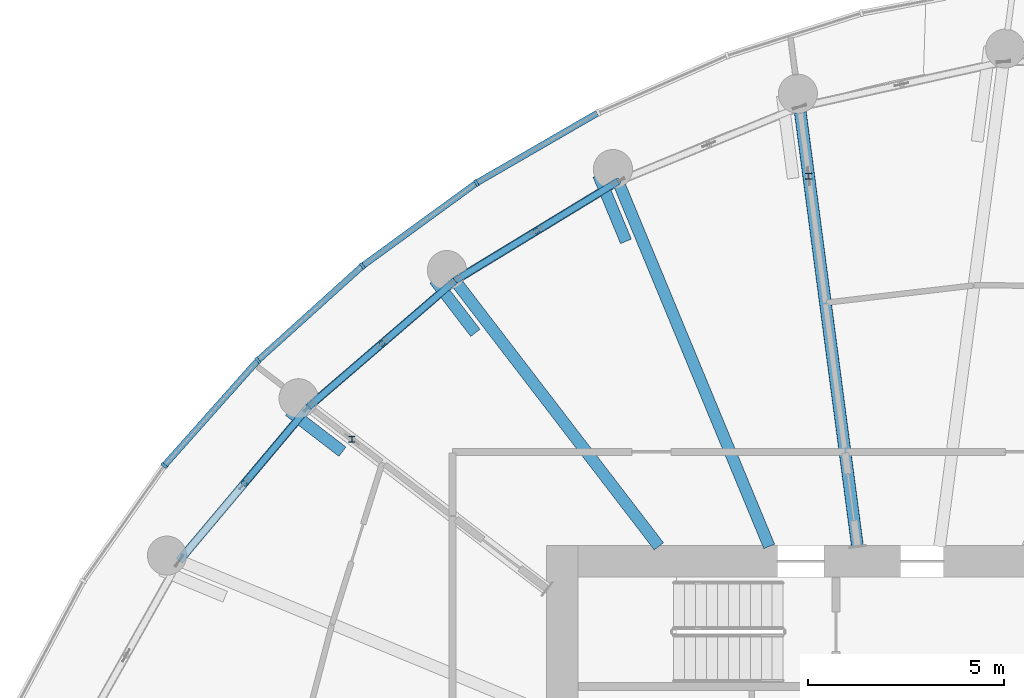
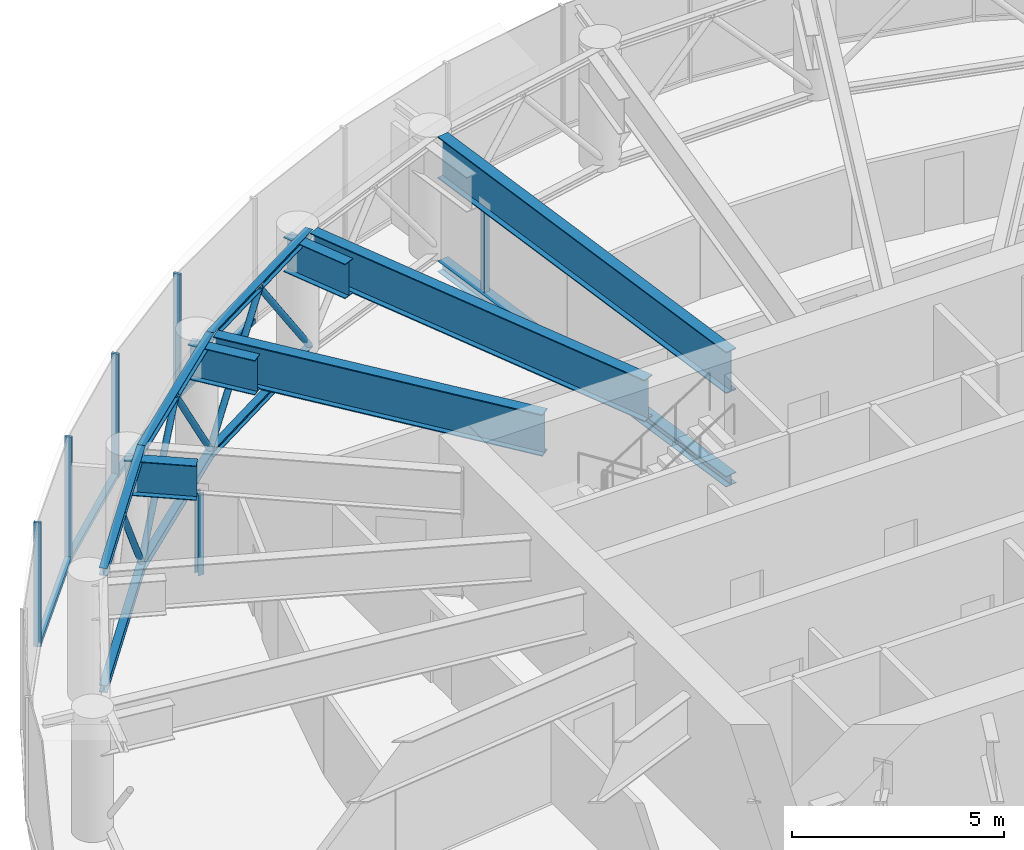
# One storey, part 8 of 25: 22 members, 6 beams, 2 elements without a shape of their own.
"""IFC4 building model written with IfcOpenShell, lengths in metres."""

from ifc_helpers import new_model, si_unit, direction, frame, origin, origin_2d, place, context, subcontext, project, spatial, rectangle, hollow_circle, i_section, extrude, source, transform, mapped, material, layer, layer_set, material_profile, profile_set, type_object, element, aggregate, save


model = new_model("IFC4")

# Units and contexts
model_context = context("Model", 3, precision=1e-05, world=origin(), true_north=direction((0.0, 1.0)))
body_context = subcontext(model_context, "Body", "Model", "MODEL_VIEW")
ifc_project = project(units=[si_unit("LENGTHUNIT", "METRE"), si_unit("AREAUNIT", "SQUARE_METRE"), si_unit("VOLUMEUNIT", "CUBIC_METRE"), si_unit("PLANEANGLEUNIT", "RADIAN"), si_unit("MASSUNIT", "GRAM", prefix="KILO")], contexts=[model_context])

# Site, building, storey
site_placement = place(None, origin())
site = spatial("IfcSite", under=ifc_project, at=site_placement, CompositionType="ELEMENT")
building_placement = place(site_placement, origin())
building = spatial("IfcBuilding", under=site, at=building_placement, Name="Spindrift Exchange Tower", CompositionType="ELEMENT")
storey_placement = place(building_placement, frame((0.0, 0.0, 179.89990234375)))
storey = spatial("IfcBuildingStorey", under=building, at=storey_placement, Name="L43", CompositionType="ELEMENT", Elevation=179.89990234375)

# Beams
ifc_material_1 = material(Name="Steel Grade 300", Category="steel")
ifc_material_profile_1 = material_profile(ifc_material_1, i_section(OverallWidth=0.300048828125, OverallDepth=1.199951171875, WebThickness=0.011962890625, FlangeThickness=0.028076171875, at=origin_2d()), Name="1200WB249")
ifc_profile_set_1 = profile_set([ifc_material_profile_1], Name="Steel Grade 300")
beam_type_1 = type_object("IfcBeamType", Name="Transfer Girder 1200WB249 Steel Grade 300", PredefinedType="BEAM", material=ifc_profile_set_1)
shared_shape_1 = source(origin(), body_context, "Body", "SweptSolid", [
    extrude(i_section(OverallWidth=0.300048828125, OverallDepth=1.199951171875, WebThickness=0.011962890625, FlangeThickness=0.028076171875, at=origin_2d()), origin(), (0.0, 0.0, 1.0), 9.958984375),
])
beam_1_placement = place(storey_placement, frame((48.69384765625, 55.9814453125, 2.97998046875), z_axis=(-0.382673670509, 0.923883575944, 0.0), x_axis=(-0.923883575944, -0.382673670509, 0.0)))
element("IfcBeam", 1, at=beam_1_placement, inside=storey, type_object=beam_type_1, Name="L43 radial beam R08A", PredefinedType="BEAM", context=body_context, shape_type="MappedRepresentation", body=[
    mapped(shared_shape_1, transform((0.0, 0.0, 0.0), scale=1.0)),
])
shared_shape_2 = source(origin(), body_context, "Body", "SweptSolid", [
    extrude(i_section(OverallWidth=0.300048828125, OverallDepth=1.199951171875, WebThickness=0.011962890625, FlangeThickness=0.028076171875, at=origin_2d()), origin(), (0.0, 0.0, 1.0), 8.419189453125),
])
beam_2_placement = place(storey_placement, frame((45.87353515625, 55.984130859375, 2.97998046875), z_axis=(-0.608755970582, 0.79335752866, 0.0), x_axis=(-0.79335752866, -0.608755970582, 0.0)))
element("IfcBeam", 2, at=beam_2_placement, inside=storey, type_object=beam_type_1, Name="L43 radial beam R09A", PredefinedType="BEAM", context=body_context, shape_type="MappedRepresentation", body=[
    mapped(shared_shape_2, transform((0.0, 0.0, 0.0), scale=1.0)),
])

# Members
ifc_material_profile_2 = material_profile(ifc_material_1, i_section(OverallWidth=0.154052734375, OverallDepth=0.162109375, WebThickness=0.008056640625, FlangeThickness=0.011474609375, FilletRadius=0.008056640625, at=origin_2d()), Name="150UC37.2")
ifc_profile_set_2 = profile_set([ifc_material_profile_2], Name="Steel Grade 300")
member_type_1 = type_object("IfcMemberType", Name="Outrigger Truss Post 150UC37.2 Steel Grade 300", PredefinedType="POST", material=ifc_profile_set_2)
shared_shape_3 = source(origin(), body_context, "Body", "SweptSolid", [
    extrude(i_section(OverallWidth=0.154052734375, OverallDepth=0.162109375, WebThickness=0.008056640625, FlangeThickness=0.011474609375, FilletRadius=0.008056640625, at=origin_2d()), origin(), (0.0, 0.0, 1.0), 2.380126953125),
])
for number, where, z_axis, x_axis, name in (
    (3, (49.70361328125, 65.4423828125, 0.0), (0.0, 0.0, 1.0), (1.0, 0.0, 0.0), "L43 outrigger truss 07 post 1"),
    (4, (38.029052734375, 58.72021484375, 0.0), (0.0, 0.0, 1.0), (1.0, 0.0, 0.0), "L43 outrigger truss 10 post 1"),
):
    element("IfcMember", number, at=place(storey_placement, frame(where, z_axis=z_axis, x_axis=x_axis)), inside=storey, type_object=member_type_1, Name=name, PredefinedType="POST", context=body_context, shape_type="MappedRepresentation", body=[
        mapped(shared_shape_3, transform((0.0, 0.0, 0.0), scale=1.0)),
    ])

# Beam
ifc_material_profile_3 = material_profile(ifc_material_1, i_section(OverallWidth=0.300048828125, OverallDepth=1.199951171875, WebThickness=0.011962890625, FlangeThickness=0.028076171875, at=origin_2d()), Name="1200WB249")
ifc_profile_set_3 = profile_set([ifc_material_profile_3], Name="Steel Grade 300")
beam_type_2 = type_object("IfcBeamType", Name="Outrigger Truss Transfer Girder 1200WB249 Steel Grade 300", PredefinedType="BEAM", material=ifc_profile_set_3)
shared_shape_4 = source(origin(), body_context, "Body", "SweptSolid", [
    extrude(i_section(OverallWidth=0.300048828125, OverallDepth=1.199951171875, WebThickness=0.011962890625, FlangeThickness=0.028076171875, at=origin_2d()), origin(), (0.0, 0.0, 1.0), 11.19091796875),
])
beam_3_placement = place(storey_placement, frame((50.949462890625, 55.980224609375, 2.97998046875), z_axis=(-0.130524489434, 0.991445085548, 0.0), x_axis=(-0.991445085548, -0.130524489434, 0.0)))
element("IfcBeam", 5, at=beam_3_placement, inside=storey, type_object=beam_type_2, Name="L43 outrigger truss 07 top chord 1", PredefinedType="BEAM", context=body_context, shape_type="MappedRepresentation", body=[
    mapped(shared_shape_4, transform((0.0, 0.0, 0.0), scale=1.0)),
])

# Members
ifc_material_profile_4 = material_profile(ifc_material_1, i_section(OverallWidth=0.306884765625, OverallDepth=0.31396484375, WebThickness=0.011962890625, FlangeThickness=0.018798828125, FilletRadius=0.0166015625, at=origin_2d()), Name="310UC118")
ifc_profile_set_4 = profile_set([ifc_material_profile_4], Name="Steel Grade 300")
member_type_2 = type_object("IfcMemberType", Name="Outrigger Truss Chord 310UC118 Steel Grade 300", PredefinedType="CHORD", material=ifc_profile_set_4)
shared_shape_5 = source(origin(), body_context, "Body", "SweptSolid", [
    extrude(i_section(OverallWidth=0.306884765625, OverallDepth=0.31396484375, WebThickness=0.011962890625, FlangeThickness=0.018798828125, FilletRadius=0.0166015625, at=origin_2d()), origin(), (0.0, 0.0, 1.0), 11.19091796875),
])
member_1_placement = place(storey_placement, frame((50.949462890625, 55.980224609375, -0.156982421875), z_axis=(-0.130524489434, 0.991445085548, 0.0), x_axis=(-0.991445085548, -0.130524489434, 0.0)))
element("IfcMember", 6, at=member_1_placement, inside=storey, type_object=member_type_2, Name="L43 outrigger truss 07 bottom chord 1", PredefinedType="CHORD", context=body_context, shape_type="MappedRepresentation", body=[
    mapped(shared_shape_5, transform((0.0, 0.0, 0.0), scale=1.0)),
])
ifc_material_profile_5 = material_profile(ifc_material_1, i_section(OverallWidth=0.205078125, OverallDepth=0.2099609375, WebThickness=0.00927734375, FlangeThickness=0.01416015625, FilletRadius=0.012939453125, at=origin_2d()), Name="200UC59.5")
ifc_profile_set_5 = profile_set([ifc_material_profile_5], Name="Steel Grade 300")
member_type_3 = type_object("IfcMemberType", Name="Belt Truss Chord 200UC59.5 Steel Grade 300", PredefinedType="CHORD", material=ifc_profile_set_5)
shared_shape_6 = source(origin(), body_context, "Body", "SweptSolid", [
    extrude(i_section(OverallWidth=0.205078125, OverallDepth=0.2099609375, WebThickness=0.00927734375, FlangeThickness=0.01416015625, FilletRadius=0.012939453125, at=origin_2d()), origin(), (0.0, 0.0, 1.0), 4.8779296875),
])
for number, where, z_axis, x_axis, name in (
    (7, (44.829345703125, 65.311767578125, 3.47509765625), (-0.85409609272, -0.520115241462, 0.0), (0.520115241462, -0.85409609272, 0.0), "L43 belt truss 08 top chord"),
    (8, (44.829345703125, 65.311767578125, 0.10498046875), (-0.85409609272, -0.520115241462, 0.0), (0.520115241462, -0.85409609272, 0.0), "L43 belt truss 08 bottom chord"),
):
    element("IfcMember", number, at=place(storey_placement, frame(where, z_axis=z_axis, x_axis=x_axis)), inside=storey, type_object=member_type_3, Name=name, PredefinedType="CHORD", context=body_context, shape_type="MappedRepresentation", body=[
        mapped(shared_shape_6, transform((0.0, 0.0, 0.0), scale=1.0)),
    ])
ifc_material_2 = material(Name="Steel Grade 350", Category="steel")
ifc_material_profile_6 = material_profile(ifc_material_2, hollow_circle(Radius=0.084228515625, WallThickness=0.007080078125, at=origin_2d()), Name="168.3x7.1CHS")
ifc_profile_set_6 = profile_set([ifc_material_profile_6], Name="Steel Grade 350")
member_type_4 = type_object("IfcMemberType", Name="Belt Truss Diagonal 168.3x7.1CHS Steel Grade 350", PredefinedType="BRACE", material=ifc_profile_set_6)
shared_shape_7 = source(origin(), body_context, "Body", "SweptSolid", [
    extrude(hollow_circle(Radius=0.084228515625, WallThickness=0.007080078125, at=origin_2d()), origin(), (0.0, 0.0, 1.0), 3.99169921875),
])
for number, where, z_axis, x_axis, name in (
    (9, (44.829345703125, 65.311767578125, 0.210205078125), (-0.521886991367, -0.317792664613, 0.791607093551), (0.520093008791, -0.854109631257, 0.0), "L43 belt truss 08 diagonal 1"),
    (10, (42.74609375, 64.043212890625, 3.3701171875), (-0.5218424864, -0.317802808173, -0.791632360698), (0.520137475681, -0.854082552446, 0.0), "L43 belt truss 08 diagonal 2"),
):
    element("IfcMember", number, at=place(storey_placement, frame(where, z_axis=z_axis, x_axis=x_axis)), inside=storey, type_object=member_type_4, Name=name, PredefinedType="BRACE", context=body_context, shape_type="MappedRepresentation", body=[
        mapped(shared_shape_7, transform((0.0, 0.0, 0.0), scale=1.0)),
    ])
shared_shape_8 = source(origin(), body_context, "Body", "SweptSolid", [
    extrude(i_section(OverallWidth=0.205078125, OverallDepth=0.2099609375, WebThickness=0.00927734375, FlangeThickness=0.01416015625, FilletRadius=0.012939453125, at=origin_2d()), origin(), (0.0, 0.0, 1.0), 4.92333984375),
])
for number, where, z_axis, x_axis, name in (
    (11, (40.6630859375, 62.774658203125, 3.47509765625), (-0.757577377055, -0.652745369783, 0.0), (0.652745369783, -0.757577377055, 0.0), "L43 belt truss 09 top chord"),
    (12, (40.6630859375, 62.774658203125, 0.10498046875), (-0.757577377055, -0.652745369783, 0.0), (0.652745369783, -0.757577377055, 0.0), "L43 belt truss 09 bottom chord"),
):
    element("IfcMember", number, at=place(storey_placement, frame(where, z_axis=z_axis, x_axis=x_axis)), inside=storey, type_object=member_type_3, Name=name, PredefinedType="CHORD", context=body_context, shape_type="MappedRepresentation", body=[
        mapped(shared_shape_8, transform((0.0, 0.0, 0.0), scale=1.0)),
    ])
shared_shape_9 = source(origin(), body_context, "Body", "SweptSolid", [
    extrude(hollow_circle(Radius=0.084228515625, WallThickness=0.007080078125, at=origin_2d()), origin(), (0.0, 0.0, 1.0), 4.005615234375),
])
for number, where, z_axis, x_axis, name in (
    (13, (40.6630859375, 62.774658203125, 0.210205078125), (-0.465538738958, -0.401175174106, 0.788880321855), (0.652798351204, -0.757531723867, 0.0), "L43 belt truss 09 diagonal 1"),
    (14, (38.79833984375, 61.167724609375, 3.3701171875), (-0.465597861045, -0.401112648716, -0.78887722418), (0.652692385721, -0.757623026064, 0.0), "L43 belt truss 09 diagonal 2"),
):
    element("IfcMember", number, at=place(storey_placement, frame(where, z_axis=z_axis, x_axis=x_axis)), inside=storey, type_object=member_type_4, Name=name, PredefinedType="BRACE", context=body_context, shape_type="MappedRepresentation", body=[
        mapped(shared_shape_9, transform((0.0, 0.0, 0.0), scale=1.0)),
    ])
shared_shape_10 = source(origin(), body_context, "Body", "SweptSolid", [
    extrude(i_section(OverallWidth=0.205078125, OverallDepth=0.2099609375, WebThickness=0.00927734375, FlangeThickness=0.01416015625, FilletRadius=0.012939453125, at=origin_2d()), origin(), (0.0, 0.0, 1.0), 5.155517578125),
])
for number, where, z_axis, x_axis, name in (
    (15, (36.933349609375, 59.56103515625, 3.47509765625), (-0.643685040424, -0.765290512638, 0.0), (0.765290512638, -0.643685040424, 0.0), "L43 belt truss 10 top chord"),
    (16, (36.933349609375, 59.56103515625, 0.10498046875), (-0.643685040424, -0.765290512638, 0.0), (0.765290512638, -0.643685040424, 0.0), "L43 belt truss 10 bottom chord"),
):
    element("IfcMember", number, at=place(storey_placement, frame(where, z_axis=z_axis, x_axis=x_axis)), inside=storey, type_object=member_type_3, Name=name, PredefinedType="CHORD", context=body_context, shape_type="MappedRepresentation", body=[
        mapped(shared_shape_10, transform((0.0, 0.0, 0.0), scale=1.0)),
    ])
shared_shape_11 = source(origin(), body_context, "Body", "SweptSolid", [
    extrude(hollow_circle(Radius=0.084228515625, WallThickness=0.007080078125, at=origin_2d()), origin(), (0.0, 0.0, 1.0), 4.078125),
])
member_2_placement = place(storey_placement, frame((36.933349609375, 59.56103515625, 0.210205078125), z_axis=(-0.406859004728, -0.483788642909, 0.774864052118), x_axis=(0.765333457899, -0.643633978454, 0.0)))
element("IfcMember", 17, at=member_2_placement, inside=storey, type_object=member_type_4, Name="L43 belt truss 10 diagonal 1", PredefinedType="BRACE", context=body_context, shape_type="MappedRepresentation", body=[
    mapped(shared_shape_11, transform((0.0, 0.0, 0.0), scale=1.0)),
])

# Beams
ifc_material_profile_7 = material_profile(ifc_material_1, i_section(OverallWidth=0.300048828125, OverallDepth=1.0, WebThickness=0.010009765625, FlangeThickness=0.02001953125, at=origin_2d()), Name="1000WB215")
ifc_profile_set_7 = profile_set([ifc_material_profile_7], Name="Steel Grade 300")
beam_type_3 = type_object("IfcBeamType", Name="Transfer Tie Beam 1000WB215 Steel Grade 300", PredefinedType="BEAM", material=ifc_profile_set_7)
shared_shape_12 = source(origin(), body_context, "Body", "SweptSolid", [
    extrude(i_section(OverallWidth=0.300048828125, OverallDepth=1.0, WebThickness=0.010009765625, FlangeThickness=0.02001953125, at=origin_2d()), origin(), (0.0, 0.0, 1.0), 1.833984375),
])
beam_4_placement = place(storey_placement, frame((44.32958984375, 65.47265625, 2.97998046875), z_axis=(0.382724096228, -0.923862687939, 0.0), x_axis=(0.923862687939, 0.382724096228, 0.0)))
element("IfcBeam", 18, at=beam_4_placement, inside=storey, type_object=beam_type_3, Name="L43 transfer tie beam K08", PredefinedType="BEAM", context=body_context, shape_type="MappedRepresentation", body=[
    mapped(shared_shape_12, transform((0.0, 0.0, 0.0), scale=1.0)),
])
shared_shape_13 = source(origin(), body_context, "Body", "SweptSolid", [
    extrude(i_section(OverallWidth=0.300048828125, OverallDepth=1.0, WebThickness=0.010009765625, FlangeThickness=0.02001953125, at=origin_2d()), origin(), (0.0, 0.0, 1.0), 1.7158203125),
])
beam_5_placement = place(storey_placement, frame((40.138916015625, 62.80078125, 2.97998046875), z_axis=(0.608706324362, -0.793395620534, 0.0), x_axis=(0.793395620534, 0.608706324362, 0.0)))
element("IfcBeam", 19, at=beam_5_placement, inside=storey, type_object=beam_type_3, Name="L43 transfer tie beam K09", PredefinedType="BEAM", context=body_context, shape_type="MappedRepresentation", body=[
    mapped(shared_shape_13, transform((0.0, 0.0, 0.0), scale=1.0)),
])
shared_shape_14 = source(origin(), body_context, "Body", "SweptSolid", [
    extrude(i_section(OverallWidth=0.300048828125, OverallDepth=1.0, WebThickness=0.010009765625, FlangeThickness=0.02001953125, at=origin_2d()), origin(), (0.0, 0.0, 1.0), 1.720947265625),
])
beam_6_placement = place(storey_placement, frame((36.420166015625, 59.45068359375, 2.97998046875), z_axis=(0.79334597562, -0.608771026714, 0.0), x_axis=(0.608771026714, 0.79334597562, 0.0)))
element("IfcBeam", 20, at=beam_6_placement, inside=storey, type_object=beam_type_3, Name="L43 transfer tie beam K10", PredefinedType="BEAM", context=body_context, shape_type="MappedRepresentation", body=[
    mapped(shared_shape_14, transform((0.0, 0.0, 0.0), scale=1.0)),
])

# Curtain wall, member
ifc_material_3 = material(Name="Fritted laminated glass with bronze frame", Category="glass")
ifc_layer = layer(ifc_material_3, 0.179931640625)
ifc_layer_set = layer_set([ifc_layer], Name="ZONE 3 BRONZE FRITTED WALL")
curtain_wall_type = type_object("IfcCurtainWallType", Name="ZONE 3 BRONZE FRITTED WALL", PredefinedType="NOTDEFINED", material=ifc_layer_set)
curtain_wall_1_placement = place(storey_placement, origin())
curtain_wall_1 = element("IfcCurtainWall", 21, at=curtain_wall_1_placement, inside=storey, type_object=curtain_wall_type, Name="L43 Zone 3 Bronze Fritted Wall run 2", PredefinedType="NOTDEFINED")
ifc_material_4 = material(Name="Bronze anodised aluminium", Category="aluminium")
ifc_material_profile_8 = material_profile(ifc_material_4, rectangle(XDim=0.159912109375, YDim=0.1298828125, at=origin_2d()), Name="ZONE 3 BRONZE FRITTED WALL TRANSOM 160X130")
ifc_profile_set_8 = profile_set([ifc_material_profile_8], Name="Bronze anodised aluminium")
member_type_5 = type_object("IfcMemberType", Name="ZONE 3 BRONZE FRITTED WALL TRANSOM 160X130", PredefinedType="USERDEFINED", material=ifc_profile_set_8)
shared_shape_15 = source(origin(), body_context, "Body", "SweptSolid", [
    extrude(rectangle(XDim=0.159912109375, YDim=0.1298828125, at=origin_2d()), origin(), (0.0, 0.0, 1.0), 3.53076171875),
])
member_3_placement = place(storey_placement, frame((38.270263671875, 63.1259765625, 0.065185546875), z_axis=(-0.742082671104, -0.670308368774, 0.0), x_axis=(0.670308368774, -0.742082671104, 0.0)))
member_3 = element("IfcMember", 22, at=member_3_placement, type_object=member_type_5, Name="L43 transom CW-3.12", ObjectType="TRANSOM", PredefinedType="USERDEFINED", context=body_context, shape_type="MappedRepresentation", body=[
    mapped(shared_shape_15, transform((0.0, 0.0, 0.0), scale=1.0)),
])

curtain_wall_2_placement = place(storey_placement, origin())
curtain_wall_2 = element("IfcCurtainWall", 23, at=curtain_wall_2_placement, inside=storey, type_object=curtain_wall_type, Name="L43 Zone 3 Bronze Fritted Wall run 3", PredefinedType="NOTDEFINED")
member_4_placement = place(storey_placement, frame((35.600830078125, 60.709716796875, 0.065185546875), z_axis=(-0.664985930813, -0.746855884238, 0.0), x_axis=(0.746855884238, -0.664985930813, 0.0)))
member_4 = element("IfcMember", 24, at=member_4_placement, type_object=member_type_5, Name="L43 transom CW-3.13", ObjectType="TRANSOM", PredefinedType="USERDEFINED", context=body_context, shape_type="MappedRepresentation", body=[
    mapped(shared_shape_15, transform((0.0, 0.0, 0.0), scale=1.0)),
])

# Member
shared_shape_16 = source(origin(), body_context, "Body", "SweptSolid", [
    extrude(rectangle(XDim=0.159912109375, YDim=0.1298828125, at=origin_2d()), origin(), (0.0, 0.0, 1.0), 3.531005859375),
])
member_5_placement = place(storey_placement, frame((44.29541015625, 67.052490234375, 0.065185546875), z_axis=(-0.865803168536, -0.500384725339, 0.0), x_axis=(0.500384725339, -0.865803168536, 0.0)))
member_5 = element("IfcMember", 25, at=member_5_placement, type_object=member_type_5, Name="L43 transom CW-3.10", ObjectType="TRANSOM", PredefinedType="USERDEFINED", context=body_context, shape_type="MappedRepresentation", body=[
    mapped(shared_shape_16, transform((0.0, 0.0, 0.0), scale=1.0)),
])

member_6_placement = place(storey_placement, frame((41.1796875, 65.24755859375, 0.065185546875), z_axis=(-0.808619460817, -0.588332021556, 0.0), x_axis=(0.588332021556, -0.808619460817, 0.0)))
member_6 = element("IfcMember", 26, at=member_6_placement, type_object=member_type_5, Name="L43 transom CW-3.11", ObjectType="TRANSOM", PredefinedType="USERDEFINED", context=body_context, shape_type="MappedRepresentation", body=[
    mapped(shared_shape_16, transform((0.0, 0.0, 0.0), scale=1.0)),
])

ifc_material_profile_9 = material_profile(ifc_material_4, rectangle(XDim=0.070068359375, YDim=0.179931640625, at=origin_2d()), Name="ZONE 3 BRONZE FRITTED WALL MULLION 70X180")
ifc_profile_set_9 = profile_set([ifc_material_profile_9], Name="Bronze anodised aluminium")
member_type_6 = type_object("IfcMemberType", Name="ZONE 3 BRONZE FRITTED WALL MULLION 70X180", PredefinedType="MULLION", material=ifc_profile_set_9)
shared_shape_17 = source(origin(), body_context, "Body", "SweptSolid", [
    extrude(rectangle(XDim=0.070068359375, YDim=0.179931640625, at=origin_2d()), origin(), (0.0, 0.0, 1.0), 3.580078125),
])
member_7_placement = place(storey_placement, frame((41.2080078125, 65.26806640625, 0.0), z_axis=(0.0, 0.0, 1.0), x_axis=(-0.838361604969, -0.545114501104, 0.0)))
member_7 = element("IfcMember", 27, at=member_7_placement, type_object=member_type_6, Name="L43 mullion CW-3.11", PredefinedType="MULLION", context=body_context, shape_type="MappedRepresentation", body=[
    mapped(shared_shape_17, transform((0.0, 0.0, 0.0), scale=1.0)),
])

member_8_placement = place(storey_placement, frame((38.296142578125, 63.1494140625, 0.0), z_axis=(0.0, 0.0, 1.0), x_axis=(-0.776422439541, -0.630212817528, 0.0)))
member_8 = element("IfcMember", 28, at=member_8_placement, type_object=member_type_6, Name="L43 mullion CW-3.12", PredefinedType="MULLION", context=body_context, shape_type="MappedRepresentation", body=[
    mapped(shared_shape_17, transform((0.0, 0.0, 0.0), scale=1.0)),
])

aggregate(curtain_wall_1, [member_5, member_7, member_6, member_8, member_3])

member_9_placement = place(storey_placement, frame((35.6240234375, 60.73583984375, 0.0), z_axis=(0.0, 0.0, 1.0), x_axis=(-0.704584354261, -0.709620241912, 0.0)))
member_9 = element("IfcMember", 29, at=member_9_placement, type_object=member_type_6, Name="L43 mullion CW-3.13", PredefinedType="MULLION", context=body_context, shape_type="MappedRepresentation", body=[
    mapped(shared_shape_17, transform((0.0, 0.0, 0.0), scale=1.0)),
])

member_10_placement = place(storey_placement, frame((33.2294921875, 58.046630859375, 0.0), z_axis=(0.0, 0.0, 1.0), x_axis=(-0.621247701795, -0.783614250135, 0.0)))
member_10 = element("IfcMember", 30, at=member_10_placement, type_object=member_type_6, Name="L43 mullion CW-3.14", PredefinedType="MULLION", context=body_context, shape_type="MappedRepresentation", body=[
    mapped(shared_shape_17, transform((0.0, 0.0, 0.0), scale=1.0)),
])

aggregate(curtain_wall_2, [member_9, member_4, member_10])

save(model, "model.ifc")
